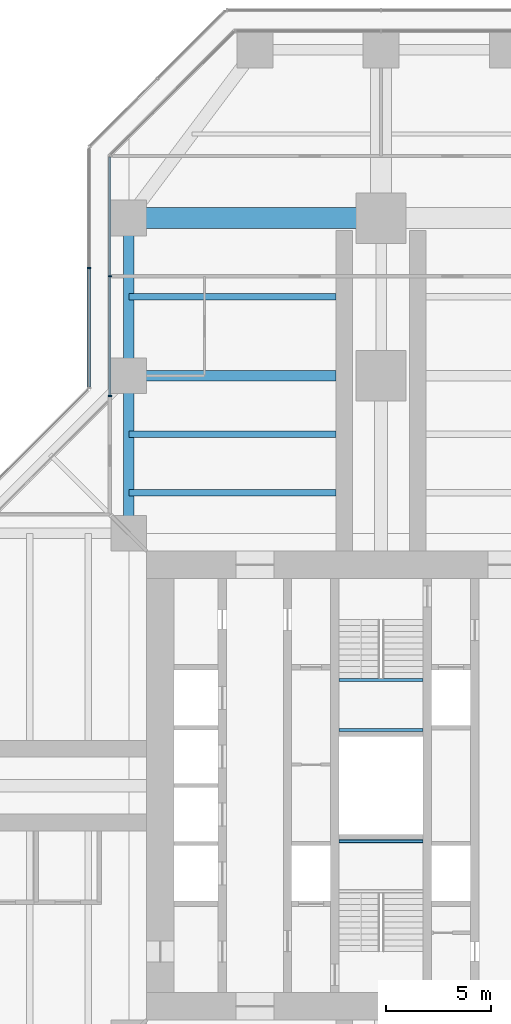
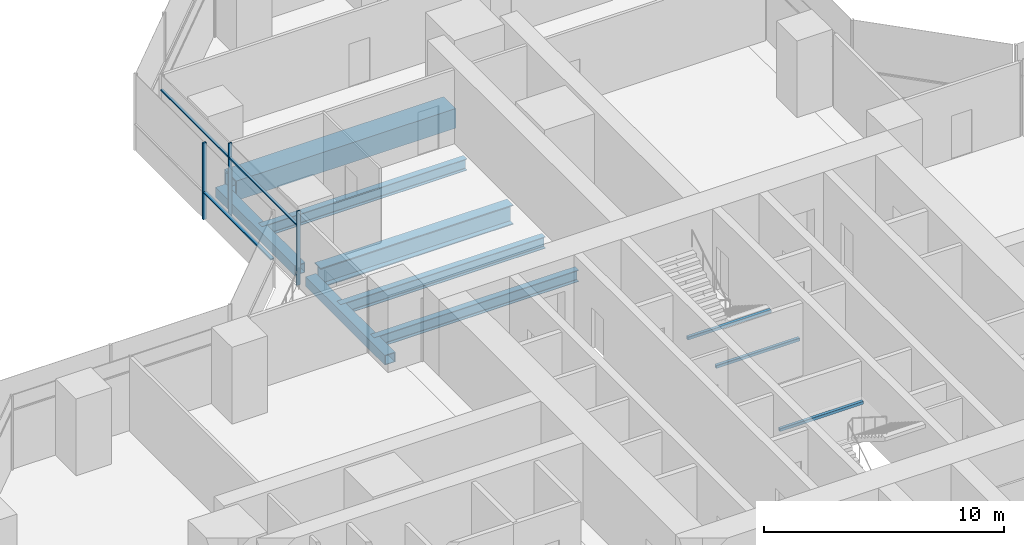
# One storey, part 9 of 22: 10 beams, 6 members, 2 elements without a shape of their own.
"""IFC4 building model written with IfcOpenShell, lengths in metres."""

import ifcopenshell
import ifcopenshell.guid

model = None  # the IFC model being written
_history = None  # IfcOwnerHistory: only IFC2X3 demands one
_inside = {}  # id of a spatial element -> (the spatial element, [elements in it])
_under = {}  # id of a project, library or spatial element -> (it, [spatial elements below it])
_declared = {}  # id of a project -> (the project, [libraries it declares])
_typed = {}  # id of a type object -> (the type object, [elements of that type])
_made_of = {}  # id of a material, layer set ... -> (it, [elements and type objects made of it])


def new_model(schema):
    """Start an empty IFC model of exactly this schema.

    Asked for "IFC4X3", IfcOpenShell would pick the latest addendum, in which some entities
    have other attributes; the version numbers below select the first issue.
    IFC2X3 requires an IfcOwnerHistory on every rooted entity: one is made here for all.
    """
    global model, _history
    if schema == "IFC4X3":
        model = ifcopenshell.file(schema_version=(4, 3, 0, 0))
    else:
        model = ifcopenshell.file(schema=schema)
    _inside.clear()
    _under.clear()
    _declared.clear()
    _typed.clear()
    _made_of.clear()
    _history = None
    if model.schema == "IFC2X3":
        org = make("IfcOrganization", Name="unknown")
        user = make(
            "IfcPersonAndOrganization",
            ThePerson=make("IfcPerson", FamilyName="unknown"),
            TheOrganization=org,
        )
        app = make(
            "IfcApplication",
            ApplicationDeveloper=org,
            Version="unknown",
            ApplicationFullName="unknown",
            ApplicationIdentifier="unknown",
        )
        _history = make(
            "IfcOwnerHistory",
            OwningUser=user,
            OwningApplication=app,
            ChangeAction="ADDED",
            CreationDate=0,
        )
    return model


def make(cls, **values):
    """One entity of the class cls with the attributes given. An attribute that is None is left unset."""
    return model.create_entity(
        cls, **{name: value for name, value in values.items() if value is not None}
    )


def rooted(cls, **values):
    """An entity with a GlobalId (a new one), such as an element, a storey or a relation."""
    return make(cls, GlobalId=ifcopenshell.guid.new(), OwnerHistory=_history, **values)


def si_unit(unit_type, name, prefix=None):
    """IfcSIUnit, for example si_unit("LENGTHUNIT", "METRE", prefix="MILLI")."""
    return make("IfcSIUnit", UnitType=unit_type, Prefix=prefix, Name=name)


def assignment(units):
    """IfcUnitAssignment: the units of a project."""
    return None if units is None else make("IfcUnitAssignment", Units=units)


def point(xyz):
    """IfcCartesianPoint."""
    return None if xyz is None else make("IfcCartesianPoint", Coordinates=xyz)


def direction(xyz):
    """IfcDirection."""
    return None if xyz is None else make("IfcDirection", DirectionRatios=xyz)


def frame(location, z_axis=None, x_axis=None):
    """IfcAxis2Placement3D, a coordinate frame: its origin and axes. An axis left out is left unset."""
    return make(
        "IfcAxis2Placement3D",
        Location=point(location),
        Axis=direction(z_axis),
        RefDirection=direction(x_axis),
    )


def frame_2d(location, x_axis=None):
    """IfcAxis2Placement2D, a coordinate frame in the plane: its origin and x axis."""
    return make(
        "IfcAxis2Placement2D", Location=point(location), RefDirection=direction(x_axis)
    )


def origin():
    """The frame at (0, 0, 0) with its axes left unset."""
    return frame((0.0, 0.0, 0.0))


def origin_2d():
    """The frame at (0, 0) in the plane with its x axis left unset."""
    return frame_2d((0.0, 0.0))


def place(relative_to, where):
    """IfcLocalPlacement: puts the frame where relative to a parent placement (None: the world)."""
    return make(
        "IfcLocalPlacement", PlacementRelTo=relative_to, RelativePlacement=where
    )


def context(
    kind, dimensions, precision=None, world=None, true_north=None, identifier=None
):
    """IfcGeometricRepresentationContext, for example the 3D "Model" context."""
    return make(
        "IfcGeometricRepresentationContext",
        ContextIdentifier=identifier,
        ContextType=kind,
        CoordinateSpaceDimension=dimensions,
        Precision=precision,
        WorldCoordinateSystem=world,
        TrueNorth=true_north,
    )


def subcontext(parent, identifier, kind, view, scale=None):
    """IfcGeometricRepresentationSubContext, for example "Body" below "Model"."""
    return make(
        "IfcGeometricRepresentationSubContext",
        ContextIdentifier=identifier,
        ContextType=kind,
        ParentContext=parent,
        TargetScale=scale,
        TargetView=view,
    )


def project(units=None, contexts=None):
    """IfcProject with its units and contexts."""
    return rooted(
        "IfcProject",
        Name="project",
        RepresentationContexts=contexts,
        UnitsInContext=assignment(units),
    )


def spatial(cls, under=None, at=None, **own):
    """A site, building, storey or space (cls), placed at a placement, below another one or the project."""
    s = rooted(cls, ObjectPlacement=at, **own)
    if under is not None:
        _under.setdefault(under.id(), (under, []))[1].append(s)
    return s


def profile(cls, at=None, kind="AREA", **sizes):
    """A parametric profile (cls). Its sizes go by their IFC names, for example OverallWidth=200.0."""
    return make(cls, ProfileType=kind, Position=at, **sizes)


def rectangle(**sizes):
    """IfcRectangleProfileDef."""
    return profile("IfcRectangleProfileDef", **sizes)


def hollow_rectangle(**sizes):
    """IfcRectangleHollowProfileDef."""
    return profile("IfcRectangleHollowProfileDef", **sizes)


def i_section(**sizes):
    """IfcIShapeProfileDef."""
    return profile("IfcIShapeProfileDef", **sizes)


def extrude(swept, where, along, depth):
    """IfcExtrudedAreaSolid: the profile swept, set in the frame where, extruded along a direction by depth."""
    return make(
        "IfcExtrudedAreaSolid",
        SweptArea=swept,
        Position=where,
        ExtrudedDirection=direction(along),
        Depth=depth,
    )


def shape(context_of_items, identifier, shape_type, items):
    """IfcShapeRepresentation: the items that make up one representation, for example the "Body"."""
    return make(
        "IfcShapeRepresentation",
        ContextOfItems=context_of_items,
        RepresentationIdentifier=identifier,
        RepresentationType=shape_type,
        Items=items,
    )


def material(Name=None, Category=None):
    """IfcMaterial."""
    return make("IfcMaterial", Name=Name, Category=Category)


def material_profile(
    of_material, cross_section, Name=None, Category=None, Priority=None
):
    """IfcMaterialProfile: a cross section and its material."""
    return make(
        "IfcMaterialProfile",
        Name=Name,
        Material=of_material,
        Profile=cross_section,
        Priority=Priority,
        Category=Category,
    )


def profile_set(profiles, Name=None, composite=None):
    """IfcMaterialProfileSet."""
    return make(
        "IfcMaterialProfileSet",
        Name=Name,
        MaterialProfiles=profiles,
        CompositeProfile=composite,
    )


def made_of(thing, what):
    """Note that an element or type object is made of a material, layer set ...; save() writes the relation."""
    if what is not None:
        _made_of.setdefault(what.id(), (what, []))[1].append(thing)
    return thing


def type_object(cls, material=None, **own):
    """A type object (cls), such as IfcWallType, which elements share."""
    return made_of(rooted(cls, **own), material)


def element(
    cls,
    number,
    at=None,
    inside=None,
    cuts=None,
    type_object=None,
    material=None,
    context=None,
    identifier="Body",
    shape_type=None,
    held_by="IfcProductDefinitionShape",
    body=None,
    shapes=None,
    **own,
):
    """One element of the class cls, such as IfcWall. Its Tag is "e" and its number.

    at: its placement. inside: the storey or other place that contains it. cuts: it is an
    opening in that element (IfcRelVoidsElement). A single representation is given by context,
    identifier, shape_type and body (its items); several are given by shapes. held_by: the class
    of the entity that holds the representations. save() writes the other relations.
    """
    e = rooted(cls, Tag="e%d" % number, ObjectPlacement=at, **own)
    if body is not None:
        shapes = [shape(context, identifier, shape_type, body)]
    if shapes is not None:
        e.Representation = make(held_by, Representations=shapes)
    if inside is not None:
        _inside.setdefault(inside.id(), (inside, []))[1].append(e)
    if cuts is not None:
        rooted(
            "IfcRelVoidsElement", RelatingBuildingElement=cuts, RelatedOpeningElement=e
        )
    if type_object is not None:
        _typed.setdefault(type_object.id(), (type_object, []))[1].append(e)
    return made_of(e, material)


def aggregate(whole, parts):
    """IfcRelAggregates: a whole, such as a stair, and the parts it consists of."""
    return rooted("IfcRelAggregates", RelatingObject=whole, RelatedObjects=parts)


def save(model, path):
    """Write the relations noted so far, then the file.

    IfcRelAggregates (storeys below a building ...), IfcRelContainedInSpatialStructure (elements
    in a storey), IfcRelDefinesByType, IfcRelAssociatesMaterial and IfcRelDeclares: one each for
    every whole, place, type object, material and project.
    """
    for whole, parts in _under.values():
        aggregate(whole, parts)
    for where, things in _inside.values():
        rooted(
            "IfcRelContainedInSpatialStructure",
            RelatedElements=things,
            RelatingStructure=where,
        )
    for kind, things in _typed.values():
        rooted("IfcRelDefinesByType", RelatedObjects=things, RelatingType=kind)
    for what, things in _made_of.values():
        rooted("IfcRelAssociatesMaterial", RelatedObjects=things, RelatingMaterial=what)
    for by, libraries in _declared.values():
        rooted("IfcRelDeclares", RelatingContext=by, RelatedDefinitions=libraries)
    model.write(path)


model = new_model("IFC4")

# Units and contexts
model_context = context("Model", 3, precision=1e-05, world=origin(), true_north=direction((0.0, 1.0)))
body_context = subcontext(model_context, "Body", "Model", "MODEL_VIEW")
ifc_project = project(units=[si_unit("LENGTHUNIT", "METRE"), si_unit("AREAUNIT", "SQUARE_METRE"), si_unit("VOLUMEUNIT", "CUBIC_METRE"), si_unit("PLANEANGLEUNIT", "RADIAN"), si_unit("MASSUNIT", "GRAM", prefix="KILO")], contexts=[model_context])

# Site, building, storey
site_placement = place(None, origin())
site = spatial("IfcSite", under=ifc_project, at=site_placement, CompositionType="ELEMENT")
building_placement = place(site_placement, origin())
building = spatial("IfcBuilding", under=site, at=building_placement, Name="Mizan Broadcast Tower", CompositionType="ELEMENT")
storey_placement = place(building_placement, frame((0.0, 0.0, 51.300048828125)))
storey = spatial("IfcBuildingStorey", under=building, at=storey_placement, Name="L09", CompositionType="ELEMENT", Elevation=51.300048828125)

# Beams
ifc_material_1 = material(Name="Steel S355", Category="steel")
ifc_material_profile_1 = material_profile(ifc_material_1, hollow_rectangle(XDim=0.5, YDim=0.5, WallThickness=0.030029296875, at=origin_2d()), Name="BOX 500x500x30")
ifc_profile_set_1 = profile_set([ifc_material_profile_1], Name="Steel S355")
beam_type_1 = type_object("IfcBeamType", Name="EDGE BEAM BOX 500x500x30", PredefinedType="SPANDREL", material=ifc_profile_set_1)
for number, where, z_axis, x_axis, name in (
    (1, (-12.0, 12.449951171875, -0.380126953125), (0.0, 1.0, 0.0), (-1.0, 0.0, 0.0), "Edge beam BOX 500x500x30 L09 north arm"),
    (2, (-12.0, 19.949951171875, -0.380126953125), (0.0, 1.0, 0.0), (-1.0, 0.0, 0.0), "Edge beam BOX 500x500x30 L09 north arm"),
):
    element("IfcBeam", number, at=place(storey_placement, frame(where, z_axis=z_axis, x_axis=x_axis)), inside=storey, type_object=beam_type_1, Name=name, PredefinedType="SPANDREL", context=body_context, shape_type="SweptSolid", body=[
        extrude(hollow_rectangle(XDim=0.5, YDim=0.5, WallThickness=0.030029296875, at=origin_2d()), origin(), (0.0, 0.0, 1.0), 6.60009765625),
    ])
ifc_material_2 = material(Name="Steel S460", Category="steel")
ifc_material_profile_2 = material_profile(ifc_material_2, hollow_rectangle(XDim=1.0, YDim=1.0, WallThickness=0.080078125, at=origin_2d()), Name="BOX 1000x1000x80")
ifc_profile_set_2 = profile_set([ifc_material_profile_2], Name="Steel S460")
beam_type_2 = type_object("IfcBeamType", Name="GIRDER BOX 1000x1000x80", PredefinedType="BEAM", material=ifc_profile_set_2)
beam_1_placement = place(storey_placement, frame((-11.280029296875, 27.0, -0.630126953125), z_axis=(1.0, 0.0, 0.0), x_axis=(0.0, 1.0, 0.0)))
element("IfcBeam", 3, at=beam_1_placement, inside=storey, type_object=beam_type_2, Name="Girder BOX 1000x1000x80 L09 north arm", PredefinedType="BEAM", context=body_context, shape_type="SweptSolid", body=[
    extrude(hollow_rectangle(XDim=1.0, YDim=1.0, WallThickness=0.080078125, at=origin_2d()), origin(), (0.0, 0.0, 1.0), 10.56005859375),
])
ifc_material_3 = material(Name="Steel S460", Category="steel")
ifc_material_profile_3 = material_profile(ifc_material_3, i_section(OverallWidth=0.5, OverallDepth=1.0, WebThickness=0.02490234375, FlangeThickness=0.050048828125, at=origin_2d()), Name="WPG 1000x500")
ifc_profile_set_3 = profile_set([ifc_material_profile_3], Name="Steel S460")
beam_type_3 = type_object("IfcBeamType", Name="GIRDER WPG 1000x500", PredefinedType="BEAM", material=ifc_profile_set_3)
beam_2_placement = place(storey_placement, frame((-11.408935546875, 19.5, -0.630126953125), z_axis=(1.0, 0.0, 0.0), x_axis=(0.0, 1.0, 0.0)))
element("IfcBeam", 4, at=beam_2_placement, inside=storey, type_object=beam_type_3, Name="Girder WPG 1000x500 L09 north arm", PredefinedType="BEAM", context=body_context, shape_type="SweptSolid", body=[
    extrude(i_section(OverallWidth=0.5, OverallDepth=1.0, WebThickness=0.02490234375, FlangeThickness=0.050048828125, at=origin_2d()), origin(), (0.0, 0.0, 1.0), 9.259033203125),
])

# Curtain wall, members
ifc_material_4 = material(Name="Aluminium framed glazing", Category="aluminium")
curtain_wall_type_1 = type_object("IfcCurtainWallType", Name="INNER SKIN LOW ZONE", PredefinedType="USERDEFINED", material=ifc_material_4)
curtain_wall_1_placement = place(storey_placement, origin())
curtain_wall_1 = element("IfcCurtainWall", 5, at=curtain_wall_1_placement, inside=storey, type_object=curtain_wall_type_1, Name="Inner skin low zone L09 N side", ObjectType="INNER SKIN LOW ZONE", PredefinedType="USERDEFINED")
ifc_material_5 = material(Name="Aluminium, pale anodised", Category="aluminium")
ifc_material_profile_4 = material_profile(ifc_material_5, rectangle(XDim=0.159912109375, YDim=0.06005859375, at=origin_2d()), Name="MULLION 160x60")
ifc_profile_set_4 = profile_set([ifc_material_profile_4], Name="Aluminium, pale anodised")
member_type_1 = type_object("IfcMemberType", Name="INNER SKIN MULLION 60x160", PredefinedType="MULLION", material=ifc_profile_set_4)
member_1_placement = place(storey_placement, frame((-12.89990234375, 24.229248046875, 0.0), z_axis=(0.0, 0.0, 1.0), x_axis=(1.0, 0.0, 0.0)))
member_1 = element("IfcMember", 6, at=member_1_placement, type_object=member_type_1, Name="Inner skin low zone L09 N side mullion 2", PredefinedType="MULLION", context=body_context, shape_type="SweptSolid", body=[
    extrude(rectangle(XDim=0.159912109375, YDim=0.06005859375, at=origin_2d()), origin(), (0.0, 0.0, 1.0), 3.77001953125),
])
member_2_placement = place(storey_placement, frame((-12.89990234375, 18.530029296875, 0.0), z_axis=(0.0, 0.0, 1.0), x_axis=(1.0, 0.0, 0.0)))
member_2 = element("IfcMember", 7, at=member_2_placement, type_object=member_type_1, Name="Inner skin low zone L09 N side mullion 3", PredefinedType="MULLION", context=body_context, shape_type="SweptSolid", body=[
    extrude(rectangle(XDim=0.159912109375, YDim=0.06005859375, at=origin_2d()), origin(), (0.0, 0.0, 1.0), 3.77001953125),
])
ifc_material_6 = material(Name="Aluminium, pale anodised", Category="aluminium")
ifc_material_profile_5 = material_profile(ifc_material_6, rectangle(XDim=0.1201171875, YDim=0.06005859375, at=origin_2d()), Name="TRANSOM 120x60")
ifc_profile_set_5 = profile_set([ifc_material_profile_5], Name="Aluminium, pale anodised")
member_type_2 = type_object("IfcMemberType", Name="INNER SKIN TRANSOM 60x120", PredefinedType="USERDEFINED", material=ifc_profile_set_5)
member_3_placement = place(storey_placement, frame((-12.89990234375, 29.898681640625, 3.030029296875), z_axis=(0.0, -1.0, 0.0), x_axis=(1.0, 0.0, 0.0)))
member_3 = element("IfcMember", 8, at=member_3_placement, type_object=member_type_2, Name="Inner skin low zone L09 N side transom 1.1", ObjectType="TRANSOM", PredefinedType="USERDEFINED", context=body_context, shape_type="SweptSolid", body=[
    extrude(rectangle(XDim=0.1201171875, YDim=0.06005859375, at=origin_2d()), origin(), (0.0, 0.0, 1.0), 5.639404296875),
])
member_4_placement = place(storey_placement, frame((-12.89990234375, 24.19921875, 3.030029296875), z_axis=(0.0, -1.0, 0.0), x_axis=(1.0, 0.0, 0.0)))
member_4 = element("IfcMember", 9, at=member_4_placement, type_object=member_type_2, Name="Inner skin low zone L09 N side transom 2.1", ObjectType="TRANSOM", PredefinedType="USERDEFINED", context=body_context, shape_type="SweptSolid", body=[
    extrude(rectangle(XDim=0.1201171875, YDim=0.06005859375, at=origin_2d()), origin(), (0.0, 0.0, 1.0), 5.63916015625),
])
aggregate(curtain_wall_1, [member_1, member_2, member_3, member_4])

# Beams
ifc_material_7 = material(Name="Steel S355", Category="steel")
ifc_material_profile_6 = material_profile(ifc_material_7, hollow_rectangle(XDim=0.14990234375, YDim=0.14990234375, WallThickness=0.008056640625, InnerFilletRadius=0.008056640625, OuterFilletRadius=0.011962890625, at=origin_2d()), Name="SHS 150x150x8")
ifc_profile_set_6 = profile_set([ifc_material_profile_6], Name="Steel S355")
beam_type_4 = type_object("IfcBeamType", Name="LANDING TRIMMER SHS 150x150x8", PredefinedType="BEAM", material=ifc_profile_set_6)
for number, where, z_axis, x_axis, name in (
    (10, (-2.0, -2.64990234375, 1.675048828125), (1.0, 0.0, 0.0), (0.0, 1.0, 0.0), "Stair A landing trimmer L09"),
    (11, (2.0, 5.02490234375, 1.675048828125), (-1.0, 0.0, 0.0), (0.0, -1.0, 0.0), "Stair B landing trimmer L09"),
    (12, (2.0, 2.64990234375, 1.675048828125), (-1.0, 0.0, 0.0), (0.0, -1.0, 0.0), "Stair B landing trimmer L09"),
):
    element("IfcBeam", number, at=place(storey_placement, frame(where, z_axis=z_axis, x_axis=x_axis)), inside=storey, type_object=beam_type_4, Name=name, PredefinedType="BEAM", context=body_context, shape_type="SweptSolid", body=[
        extrude(hollow_rectangle(XDim=0.14990234375, YDim=0.14990234375, WallThickness=0.008056640625, InnerFilletRadius=0.008056640625, OuterFilletRadius=0.011962890625, at=origin_2d()), origin(), (0.0, 0.0, 1.0), 4.0),
    ])

# Curtain wall, members
ifc_material_8 = material(Name="Aluminium framed glazing", Category="aluminium")
curtain_wall_type_2 = type_object("IfcCurtainWallType", Name="OUTER SKIN", PredefinedType="USERDEFINED", material=ifc_material_8)
curtain_wall_2_placement = place(storey_placement, origin())
curtain_wall_2 = element("IfcCurtainWall", 13, at=curtain_wall_2_placement, inside=storey, type_object=curtain_wall_type_2, Name="Outer skin L09 N side", ObjectType="OUTER SKIN", PredefinedType="USERDEFINED")
ifc_material_9 = material(Name="Aluminium, pale anodised", Category="aluminium")
ifc_material_profile_7 = material_profile(ifc_material_9, rectangle(XDim=0.159912109375, YDim=0.080078125, at=origin_2d()), Name="MULLION 160x80")
ifc_profile_set_7 = profile_set([ifc_material_profile_7], Name="Aluminium, pale anodised")
member_type_3 = type_object("IfcMemberType", Name="OUTER SKIN MULLION 80x160", PredefinedType="MULLION", material=ifc_profile_set_7)
member_5_placement = place(storey_placement, frame((-13.89990234375, 24.622802734375, 0.0), z_axis=(0.0, 0.0, 1.0), x_axis=(1.0, 0.0, 0.0)))
member_5 = element("IfcMember", 14, at=member_5_placement, type_object=member_type_3, Name="Outer skin L09 N side mullion 2", PredefinedType="MULLION", context=body_context, shape_type="SweptSolid", body=[
    extrude(rectangle(XDim=0.159912109375, YDim=0.080078125, at=origin_2d()), origin(), (0.0, 0.0, 1.0), 3.89990234375),
])
ifc_material_10 = material(Name="Aluminium, pale anodised", Category="aluminium")
ifc_material_profile_8 = material_profile(ifc_material_10, rectangle(XDim=0.159912109375, YDim=0.06005859375, at=origin_2d()), Name="TRANSOM 160x60")
ifc_profile_set_8 = profile_set([ifc_material_profile_8], Name="Aluminium, pale anodised")
member_type_4 = type_object("IfcMemberType", Name="OUTER SKIN TRANSOM 60x160", PredefinedType="USERDEFINED", material=ifc_profile_set_8)
member_6_placement = place(storey_placement, frame((-13.89990234375, 24.582763671875, 1.39990234375), z_axis=(0.0, -1.0, 0.0), x_axis=(1.0, 0.0, 0.0)))
member_6 = element("IfcMember", 15, at=member_6_placement, type_object=member_type_4, Name="Outer skin L09 N side transom 2.1", ObjectType="TRANSOM", PredefinedType="USERDEFINED", context=body_context, shape_type="SweptSolid", body=[
    extrude(rectangle(XDim=0.159912109375, YDim=0.06005859375, at=origin_2d()), origin(), (0.0, 0.0, 1.0), 5.6298828125),
])
aggregate(curtain_wall_2, [member_5, member_6])

# Beams
ifc_material_11 = material(Name="Steel S355", Category="steel")
ifc_material_profile_9 = material_profile(ifc_material_11, i_section(OverallWidth=0.300048828125, OverallDepth=0.590087890625, WebThickness=0.012939453125, FlangeThickness=0.02490234375, FilletRadius=0.027099609375, at=origin_2d()), Name="HEA 600")
ifc_profile_set_9 = profile_set([ifc_material_profile_9], Name="Steel S355")
beam_type_5 = type_object("IfcBeamType", Name="SECONDARY BEAM HEA 600", PredefinedType="JOIST", material=ifc_profile_set_9)
for number, where, z_axis, x_axis, name in (
    (16, (-12.0, 13.933349609375, -0.425048828125), (1.0, 0.0, 0.0), (0.0, 1.0, 0.0), "Secondary beam HEA 600 L09 north arm"),
    (17, (-12.0, 16.716552734375, -0.425048828125), (1.0, 0.0, 0.0), (0.0, 1.0, 0.0), "Secondary beam HEA 600 L09 north arm"),
    (18, (-12.0, 23.25, -0.425048828125), (1.0, 0.0, 0.0), (0.0, 1.0, 0.0), "Secondary beam HEA 600 L09 north arm"),
):
    element("IfcBeam", number, at=place(storey_placement, frame(where, z_axis=z_axis, x_axis=x_axis)), inside=storey, type_object=beam_type_5, Name=name, PredefinedType="JOIST", context=body_context, shape_type="SweptSolid", body=[
        extrude(i_section(OverallWidth=0.300048828125, OverallDepth=0.590087890625, WebThickness=0.012939453125, FlangeThickness=0.02490234375, FilletRadius=0.027099609375, at=origin_2d()), origin(), (0.0, 0.0, 1.0), 9.85009765625),
    ])

save(model, "model.ifc")
